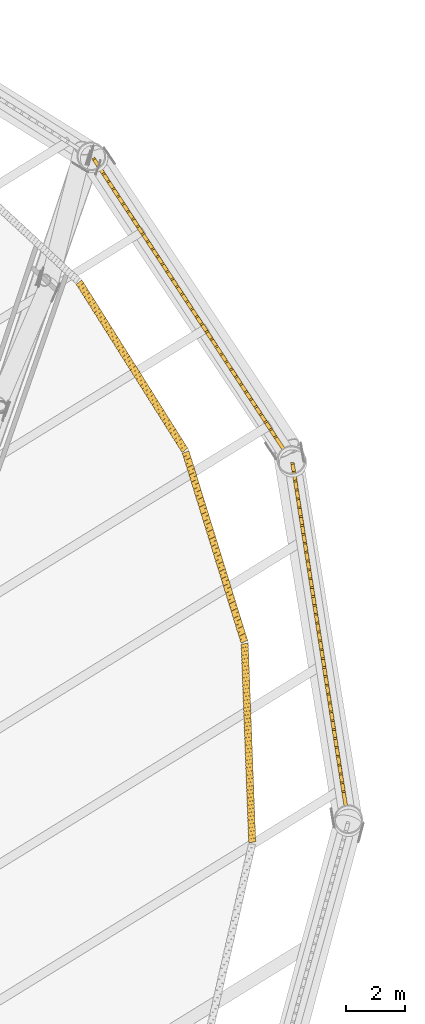
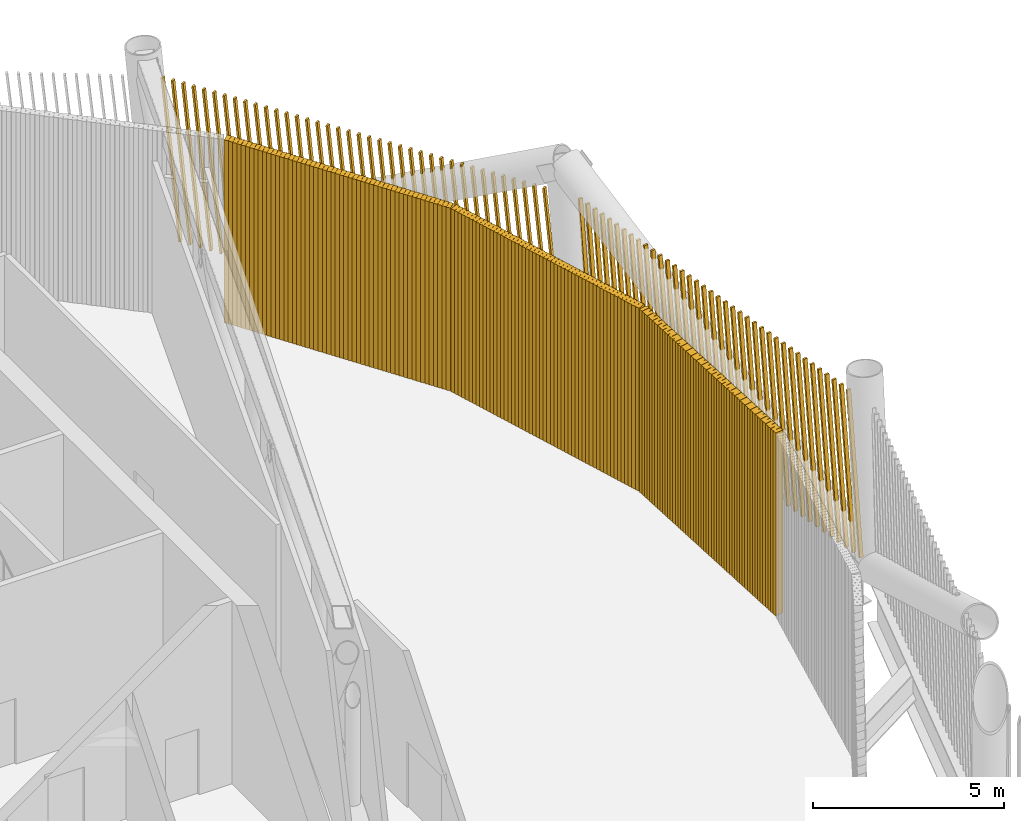
# One storey, part 38 of 40: 5 shading devices.
"""IFC4 building model written with IfcOpenShell, lengths in metres."""

from ifc_helpers import new_model, si_unit, direction, frame, frame_2d, origin, place, context, subcontext, project, spatial, rectangle, composite_profile, extrude, material, type_object, element, save


model = new_model("IFC4")

# Units and contexts
model_context = context("Model", 3, precision=1e-05, world=origin(), true_north=direction((0.0, 1.0)))
body_context = subcontext(model_context, "Body", "Model", "MODEL_VIEW")
ifc_project = project(units=[si_unit("LENGTHUNIT", "METRE"), si_unit("AREAUNIT", "SQUARE_METRE"), si_unit("VOLUMEUNIT", "CUBIC_METRE"), si_unit("PLANEANGLEUNIT", "RADIAN"), si_unit("MASSUNIT", "GRAM", prefix="KILO")], contexts=[model_context])

# Site, building, storey
site_placement = place(None, origin())
site = spatial("IfcSite", under=ifc_project, at=site_placement, CompositionType="ELEMENT")
building_placement = place(site_placement, origin())
building = spatial("IfcBuilding", under=site, at=building_placement, Name="Tarsis Ring Headquarters", CompositionType="ELEMENT")
storey_placement = place(building_placement, frame((0.0, 0.0, 354.800048828125)))
storey = spatial("IfcBuildingStorey", under=building, at=storey_placement, Name="L84", CompositionType="ELEMENT", Elevation=354.800048828125)

# Shading devices
ifc_material_1 = material(Name="Aluminium louvre", Category="aluminium")
shading_device_type_1 = type_object("IfcShadingDeviceType", Name="Plant louvre fin", PredefinedType="USERDEFINED", material=ifc_material_1)
shading_device_1_placement = place(storey_placement, frame((25.76171875, -2.382568359375, 0.0), z_axis=(0.0, 0.0, 1.0), x_axis=(-0.038028475955, 0.99927357257, 0.0)))
element("IfcShadingDevice", 1, at=shading_device_1_placement, inside=storey, type_object=shading_device_type_1, Name="Louvre L84-19", ObjectType="Louvre", PredefinedType="USERDEFINED", context=body_context, shape_type="SweptSolid", body=[
    extrude(composite_profile([rectangle(XDim=0.1201171875, YDim=0.239990234375, at=frame_2d((0.076171875, 0.0), x_axis=(0.990268068742, 0.13917310096))), rectangle(XDim=0.1201171875, YDim=0.239990234375, at=frame_2d((0.202392578125, 0.0), x_axis=(0.990268068742, 0.13917310096))), rectangle(XDim=0.1201171875, YDim=0.239990234375, at=frame_2d((0.328857421875, 0.0), x_axis=(0.990268068742, 0.13917310096))), rectangle(XDim=0.1201171875, YDim=0.239990234375, at=frame_2d((0.455078125, 0.0), x_axis=(0.990268068742, 0.13917310096))), rectangle(XDim=0.1201171875, YDim=0.239990234375, at=frame_2d((0.58154296875, 0.0), x_axis=(0.990268068742, 0.13917310096))), rectangle(XDim=0.1201171875, YDim=0.239990234375, at=frame_2d((0.707763671875, 0.0), x_axis=(0.990268068742, 0.13917310096))), rectangle(XDim=0.1201171875, YDim=0.239990234375, at=frame_2d((0.834228515625, 0.0), x_axis=(0.990268068742, 0.13917310096))), rectangle(XDim=0.1201171875, YDim=0.239990234375, at=frame_2d((0.96044921875, 0.0), x_axis=(0.990268068742, 0.13917310096))), rectangle(XDim=0.1201171875, YDim=0.239990234375, at=frame_2d((1.0869140625, 0.0), x_axis=(0.990268068742, 0.13917310096))), rectangle(XDim=0.1201171875, YDim=0.239990234375, at=frame_2d((1.213134765625, 0.0), x_axis=(0.990268068742, 0.13917310096))), rectangle(XDim=0.1201171875, YDim=0.239990234375, at=frame_2d((1.339599609375, 0.0), x_axis=(0.990268068742, 0.13917310096))), rectangle(XDim=0.1201171875, YDim=0.239990234375, at=frame_2d((1.4658203125, 0.0), x_axis=(0.990268068742, 0.13917310096))), rectangle(XDim=0.1201171875, YDim=0.239990234375, at=frame_2d((1.59228515625, 0.0), x_axis=(0.990268068742, 0.13917310096))), rectangle(XDim=0.1201171875, YDim=0.239990234375, at=frame_2d((1.718505859375, 0.0), x_axis=(0.990268068742, 0.13917310096))), rectangle(XDim=0.1201171875, YDim=0.239990234375, at=frame_2d((1.8447265625, 0.0), x_axis=(0.990268068742, 0.13917310096))), rectangle(XDim=0.1201171875, YDim=0.239990234375, at=frame_2d((1.97119140625, 0.0), x_axis=(0.990268068742, 0.13917310096))), rectangle(XDim=0.1201171875, YDim=0.239990234375, at=frame_2d((2.097412109375, 0.0), x_axis=(0.990268068742, 0.13917310096))), rectangle(XDim=0.1201171875, YDim=0.239990234375, at=frame_2d((2.223876953125, 0.0), x_axis=(0.990268068742, 0.13917310096))), rectangle(XDim=0.1201171875, YDim=0.239990234375, at=frame_2d((2.35009765625, 0.0), x_axis=(0.990268068742, 0.13917310096))), rectangle(XDim=0.1201171875, YDim=0.239990234375, at=frame_2d((2.4765625, 0.0), x_axis=(0.990268068742, 0.13917310096))), rectangle(XDim=0.1201171875, YDim=0.239990234375, at=frame_2d((2.602783203125, 0.0), x_axis=(0.990268068742, 0.13917310096))), rectangle(XDim=0.1201171875, YDim=0.239990234375, at=frame_2d((2.729248046875, 0.0), x_axis=(0.990268068742, 0.13917310096))), rectangle(XDim=0.1201171875, YDim=0.239990234375, at=frame_2d((2.85546875, 0.0), x_axis=(0.990268068742, 0.13917310096))), rectangle(XDim=0.1201171875, YDim=0.239990234375, at=frame_2d((2.98193359375, 0.0), x_axis=(0.990268068742, 0.13917310096))), rectangle(XDim=0.1201171875, YDim=0.239990234375, at=frame_2d((3.108154296875, 0.0), x_axis=(0.990268068742, 0.13917310096))), rectangle(XDim=0.1201171875, YDim=0.239990234375, at=frame_2d((3.234619140625, 0.0), x_axis=(0.990268068742, 0.13917310096))), rectangle(XDim=0.1201171875, YDim=0.239990234375, at=frame_2d((3.36083984375, 0.0), x_axis=(0.990268068742, 0.13917310096))), rectangle(XDim=0.1201171875, YDim=0.239990234375, at=frame_2d((3.487060546875, 0.0), x_axis=(0.990268068742, 0.13917310096))), rectangle(XDim=0.1201171875, YDim=0.239990234375, at=frame_2d((3.613525390625, 0.0), x_axis=(0.990268068742, 0.13917310096))), rectangle(XDim=0.1201171875, YDim=0.239990234375, at=frame_2d((3.73974609375, 0.0), x_axis=(0.990268068742, 0.13917310096))), rectangle(XDim=0.1201171875, YDim=0.239990234375, at=frame_2d((3.8662109375, 0.0), x_axis=(0.990268068742, 0.13917310096))), rectangle(XDim=0.1201171875, YDim=0.239990234375, at=frame_2d((3.992431640625, 0.0), x_axis=(0.990268068742, 0.13917310096))), rectangle(XDim=0.1201171875, YDim=0.239990234375, at=frame_2d((4.118896484375, 0.0), x_axis=(0.990268068742, 0.13917310096))), rectangle(XDim=0.1201171875, YDim=0.239990234375, at=frame_2d((4.2451171875, 0.0), x_axis=(0.990268068742, 0.13917310096))), rectangle(XDim=0.1201171875, YDim=0.239990234375, at=frame_2d((4.37158203125, 0.0), x_axis=(0.990268068742, 0.13917310096))), rectangle(XDim=0.1201171875, YDim=0.239990234375, at=frame_2d((4.497802734375, 0.0), x_axis=(0.990268068742, 0.13917310096))), rectangle(XDim=0.1201171875, YDim=0.239990234375, at=frame_2d((4.624267578125, 0.0), x_axis=(0.990268068742, 0.13917310096))), rectangle(XDim=0.1201171875, YDim=0.239990234375, at=frame_2d((4.75048828125, 0.0), x_axis=(0.990268068742, 0.13917310096))), rectangle(XDim=0.1201171875, YDim=0.239990234375, at=frame_2d((4.876953125, 0.0), x_axis=(0.990268068742, 0.13917310096))), rectangle(XDim=0.1201171875, YDim=0.239990234375, at=frame_2d((5.003173828125, 0.0), x_axis=(0.990268068742, 0.13917310096))), rectangle(XDim=0.1201171875, YDim=0.239990234375, at=frame_2d((5.12939453125, 0.0), x_axis=(0.990268068742, 0.13917310096))), rectangle(XDim=0.1201171875, YDim=0.239990234375, at=frame_2d((5.255859375, 0.0), x_axis=(0.990268068742, 0.13917310096))), rectangle(XDim=0.1201171875, YDim=0.239990234375, at=frame_2d((5.382080078125, 0.0), x_axis=(0.990268068742, 0.13917310096))), rectangle(XDim=0.1201171875, YDim=0.239990234375, at=frame_2d((5.508544921875, 0.0), x_axis=(0.990268068742, 0.13917310096))), rectangle(XDim=0.1201171875, YDim=0.239990234375, at=frame_2d((5.634765625, 0.0), x_axis=(0.990268068742, 0.13917310096))), rectangle(XDim=0.1201171875, YDim=0.239990234375, at=frame_2d((5.76123046875, 0.0), x_axis=(0.990268068742, 0.13917310096))), rectangle(XDim=0.1201171875, YDim=0.239990234375, at=frame_2d((5.887451171875, 0.0), x_axis=(0.990268068742, 0.13917310096))), rectangle(XDim=0.1201171875, YDim=0.239990234375, at=frame_2d((6.013916015625, 0.0), x_axis=(0.990268068742, 0.13917310096))), rectangle(XDim=0.1201171875, YDim=0.239990234375, at=frame_2d((6.14013671875, 0.0), x_axis=(0.990268068742, 0.13917310096))), rectangle(XDim=0.1201171875, YDim=0.239990234375, at=frame_2d((6.2666015625, 0.0), x_axis=(0.990268068742, 0.13917310096))), rectangle(XDim=0.1201171875, YDim=0.239990234375, at=frame_2d((6.392822265625, 0.0), x_axis=(0.990268068742, 0.13917310096))), rectangle(XDim=0.1201171875, YDim=0.239990234375, at=frame_2d((6.519287109375, 0.0), x_axis=(0.990268068742, 0.13917310096))), rectangle(XDim=0.1201171875, YDim=0.239990234375, at=frame_2d((6.6455078125, 0.0), x_axis=(0.990268068742, 0.13917310096)))]), origin(), (0.0, 0.0, 1.0), 5.83984375),
])
shading_device_2_placement = place(storey_placement, frame((25.500732421875, 4.3662109375, 0.0), z_axis=(0.0, 0.0, 1.0), x_axis=(-0.295376121463, 0.955395735716, 0.0)))
element("IfcShadingDevice", 2, at=shading_device_2_placement, inside=storey, type_object=shading_device_type_1, Name="Louvre L84-20", ObjectType="Louvre", PredefinedType="USERDEFINED", context=body_context, shape_type="SweptSolid", body=[
    extrude(composite_profile([rectangle(XDim=0.1201171875, YDim=0.239990234375, at=frame_2d((0.076171875, 0.0), x_axis=(0.990268068742, 0.13917310096))), rectangle(XDim=0.1201171875, YDim=0.239990234375, at=frame_2d((0.202392578125, 0.0), x_axis=(0.990268068742, 0.13917310096))), rectangle(XDim=0.1201171875, YDim=0.239990234375, at=frame_2d((0.328857421875, 0.0), x_axis=(0.990268068742, 0.13917310096))), rectangle(XDim=0.1201171875, YDim=0.239990234375, at=frame_2d((0.455078125, 0.0), x_axis=(0.990268068742, 0.13917310096))), rectangle(XDim=0.1201171875, YDim=0.239990234375, at=frame_2d((0.58154296875, 0.0), x_axis=(0.990268068742, 0.13917310096))), rectangle(XDim=0.1201171875, YDim=0.239990234375, at=frame_2d((0.707763671875, 0.0), x_axis=(0.990268068742, 0.13917310096))), rectangle(XDim=0.1201171875, YDim=0.239990234375, at=frame_2d((0.834228515625, 0.0), x_axis=(0.990268068742, 0.13917310096))), rectangle(XDim=0.1201171875, YDim=0.239990234375, at=frame_2d((0.96044921875, 0.0), x_axis=(0.990268068742, 0.13917310096))), rectangle(XDim=0.1201171875, YDim=0.239990234375, at=frame_2d((1.0869140625, 0.0), x_axis=(0.990268068742, 0.13917310096))), rectangle(XDim=0.1201171875, YDim=0.239990234375, at=frame_2d((1.213134765625, 0.0), x_axis=(0.990268068742, 0.13917310096))), rectangle(XDim=0.1201171875, YDim=0.239990234375, at=frame_2d((1.33935546875, 0.0), x_axis=(0.990268068742, 0.13917310096))), rectangle(XDim=0.1201171875, YDim=0.239990234375, at=frame_2d((1.4658203125, 0.0), x_axis=(0.990268068742, 0.13917310096))), rectangle(XDim=0.1201171875, YDim=0.239990234375, at=frame_2d((1.592041015625, 0.0), x_axis=(0.990268068742, 0.13917310096))), rectangle(XDim=0.1201171875, YDim=0.239990234375, at=frame_2d((1.718505859375, 0.0), x_axis=(0.990268068742, 0.13917310096))), rectangle(XDim=0.1201171875, YDim=0.239990234375, at=frame_2d((1.8447265625, 0.0), x_axis=(0.990268068742, 0.13917310096))), rectangle(XDim=0.1201171875, YDim=0.239990234375, at=frame_2d((1.97119140625, 0.0), x_axis=(0.990268068742, 0.13917310096))), rectangle(XDim=0.1201171875, YDim=0.239990234375, at=frame_2d((2.097412109375, 0.0), x_axis=(0.990268068742, 0.13917310096))), rectangle(XDim=0.1201171875, YDim=0.239990234375, at=frame_2d((2.223876953125, 0.0), x_axis=(0.990268068742, 0.13917310096))), rectangle(XDim=0.1201171875, YDim=0.239990234375, at=frame_2d((2.35009765625, 0.0), x_axis=(0.990268068742, 0.13917310096))), rectangle(XDim=0.1201171875, YDim=0.239990234375, at=frame_2d((2.476318359375, 0.0), x_axis=(0.990268068742, 0.13917310096))), rectangle(XDim=0.1201171875, YDim=0.239990234375, at=frame_2d((2.602783203125, 0.0), x_axis=(0.990268068742, 0.13917310096))), rectangle(XDim=0.1201171875, YDim=0.239990234375, at=frame_2d((2.72900390625, 0.0), x_axis=(0.990268068742, 0.13917310096))), rectangle(XDim=0.1201171875, YDim=0.239990234375, at=frame_2d((2.85546875, 0.0), x_axis=(0.990268068742, 0.13917310096))), rectangle(XDim=0.1201171875, YDim=0.239990234375, at=frame_2d((2.981689453125, 0.0), x_axis=(0.990268068742, 0.13917310096))), rectangle(XDim=0.1201171875, YDim=0.239990234375, at=frame_2d((3.108154296875, 0.0), x_axis=(0.990268068742, 0.13917310096))), rectangle(XDim=0.1201171875, YDim=0.239990234375, at=frame_2d((3.234375, 0.0), x_axis=(0.990268068742, 0.13917310096))), rectangle(XDim=0.1201171875, YDim=0.239990234375, at=frame_2d((3.36083984375, 0.0), x_axis=(0.990268068742, 0.13917310096))), rectangle(XDim=0.1201171875, YDim=0.239990234375, at=frame_2d((3.487060546875, 0.0), x_axis=(0.990268068742, 0.13917310096))), rectangle(XDim=0.1201171875, YDim=0.239990234375, at=frame_2d((3.61328125, 0.0), x_axis=(0.990268068742, 0.13917310096))), rectangle(XDim=0.1201171875, YDim=0.239990234375, at=frame_2d((3.73974609375, 0.0), x_axis=(0.990268068742, 0.13917310096))), rectangle(XDim=0.1201171875, YDim=0.239990234375, at=frame_2d((3.865966796875, 0.0), x_axis=(0.990268068742, 0.13917310096))), rectangle(XDim=0.1201171875, YDim=0.239990234375, at=frame_2d((3.992431640625, 0.0), x_axis=(0.990268068742, 0.13917310096))), rectangle(XDim=0.1201171875, YDim=0.239990234375, at=frame_2d((4.11865234375, 0.0), x_axis=(0.990268068742, 0.13917310096))), rectangle(XDim=0.1201171875, YDim=0.239990234375, at=frame_2d((4.2451171875, 0.0), x_axis=(0.990268068742, 0.13917310096))), rectangle(XDim=0.1201171875, YDim=0.239990234375, at=frame_2d((4.371337890625, 0.0), x_axis=(0.990268068742, 0.13917310096))), rectangle(XDim=0.1201171875, YDim=0.239990234375, at=frame_2d((4.49755859375, 0.0), x_axis=(0.990268068742, 0.13917310096))), rectangle(XDim=0.1201171875, YDim=0.239990234375, at=frame_2d((4.6240234375, 0.0), x_axis=(0.990268068742, 0.13917310096))), rectangle(XDim=0.1201171875, YDim=0.239990234375, at=frame_2d((4.750244140625, 0.0), x_axis=(0.990268068742, 0.13917310096))), rectangle(XDim=0.1201171875, YDim=0.239990234375, at=frame_2d((4.876708984375, 0.0), x_axis=(0.990268068742, 0.13917310096))), rectangle(XDim=0.1201171875, YDim=0.239990234375, at=frame_2d((5.0029296875, 0.0), x_axis=(0.990268068742, 0.13917310096))), rectangle(XDim=0.1201171875, YDim=0.239990234375, at=frame_2d((5.12939453125, 0.0), x_axis=(0.990268068742, 0.13917310096))), rectangle(XDim=0.1201171875, YDim=0.239990234375, at=frame_2d((5.255615234375, 0.0), x_axis=(0.990268068742, 0.13917310096))), rectangle(XDim=0.1201171875, YDim=0.239990234375, at=frame_2d((5.382080078125, 0.0), x_axis=(0.990268068742, 0.13917310096))), rectangle(XDim=0.1201171875, YDim=0.239990234375, at=frame_2d((5.50830078125, 0.0), x_axis=(0.990268068742, 0.13917310096))), rectangle(XDim=0.1201171875, YDim=0.239990234375, at=frame_2d((5.634521484375, 0.0), x_axis=(0.990268068742, 0.13917310096))), rectangle(XDim=0.1201171875, YDim=0.239990234375, at=frame_2d((5.760986328125, 0.0), x_axis=(0.990268068742, 0.13917310096))), rectangle(XDim=0.1201171875, YDim=0.239990234375, at=frame_2d((5.88720703125, 0.0), x_axis=(0.990268068742, 0.13917310096))), rectangle(XDim=0.1201171875, YDim=0.239990234375, at=frame_2d((6.013671875, 0.0), x_axis=(0.990268068742, 0.13917310096))), rectangle(XDim=0.1201171875, YDim=0.239990234375, at=frame_2d((6.139892578125, 0.0), x_axis=(0.990268068742, 0.13917310096))), rectangle(XDim=0.1201171875, YDim=0.239990234375, at=frame_2d((6.266357421875, 0.0), x_axis=(0.990268068742, 0.13917310096))), rectangle(XDim=0.1201171875, YDim=0.239990234375, at=frame_2d((6.392578125, 0.0), x_axis=(0.990268068742, 0.13917310096))), rectangle(XDim=0.1201171875, YDim=0.239990234375, at=frame_2d((6.51904296875, 0.0), x_axis=(0.990268068742, 0.13917310096))), rectangle(XDim=0.1201171875, YDim=0.239990234375, at=frame_2d((6.645263671875, 0.0), x_axis=(0.990268068742, 0.13917310096)))]), origin(), (0.0, 0.0, 1.0), 5.83984375),
])
shading_device_3_placement = place(storey_placement, frame((23.501708984375, 10.817626953125, 0.0), z_axis=(0.0, 0.0, 1.0), x_axis=(-0.532580270231, 0.846360598576, 0.0)))
element("IfcShadingDevice", 3, at=shading_device_3_placement, inside=storey, type_object=shading_device_type_1, Name="Louvre L84-21", ObjectType="Louvre", PredefinedType="USERDEFINED", context=body_context, shape_type="SweptSolid", body=[
    extrude(composite_profile([rectangle(XDim=0.1201171875, YDim=0.239990234375, at=frame_2d((0.076171875, 0.0), x_axis=(0.990268068742, 0.13917310096))), rectangle(XDim=0.1201171875, YDim=0.239990234375, at=frame_2d((0.202392578125, 0.0), x_axis=(0.990268068742, 0.13917310096))), rectangle(XDim=0.1201171875, YDim=0.239990234375, at=frame_2d((0.328857421875, 0.0), x_axis=(0.990268068742, 0.13917310096))), rectangle(XDim=0.1201171875, YDim=0.239990234375, at=frame_2d((0.455078125, 0.0), x_axis=(0.990268068742, 0.13917310096))), rectangle(XDim=0.1201171875, YDim=0.239990234375, at=frame_2d((0.58154296875, 0.0), x_axis=(0.990268068742, 0.13917310096))), rectangle(XDim=0.1201171875, YDim=0.239990234375, at=frame_2d((0.707763671875, 0.0), x_axis=(0.990268068742, 0.13917310096))), rectangle(XDim=0.1201171875, YDim=0.239990234375, at=frame_2d((0.834228515625, 0.0), x_axis=(0.990268068742, 0.13917310096))), rectangle(XDim=0.1201171875, YDim=0.239990234375, at=frame_2d((0.96044921875, 0.0), x_axis=(0.990268068742, 0.13917310096))), rectangle(XDim=0.1201171875, YDim=0.239990234375, at=frame_2d((1.0869140625, 0.0), x_axis=(0.990268068742, 0.13917310096))), rectangle(XDim=0.1201171875, YDim=0.239990234375, at=frame_2d((1.213134765625, 0.0), x_axis=(0.990268068742, 0.13917310096))), rectangle(XDim=0.1201171875, YDim=0.239990234375, at=frame_2d((1.339599609375, 0.0), x_axis=(0.990268068742, 0.13917310096))), rectangle(XDim=0.1201171875, YDim=0.239990234375, at=frame_2d((1.4658203125, 0.0), x_axis=(0.990268068742, 0.13917310096))), rectangle(XDim=0.1201171875, YDim=0.239990234375, at=frame_2d((1.59228515625, 0.0), x_axis=(0.990268068742, 0.13917310096))), rectangle(XDim=0.1201171875, YDim=0.239990234375, at=frame_2d((1.718505859375, 0.0), x_axis=(0.990268068742, 0.13917310096))), rectangle(XDim=0.1201171875, YDim=0.239990234375, at=frame_2d((1.8447265625, 0.0), x_axis=(0.990268068742, 0.13917310096))), rectangle(XDim=0.1201171875, YDim=0.239990234375, at=frame_2d((1.97119140625, 0.0), x_axis=(0.990268068742, 0.13917310096))), rectangle(XDim=0.1201171875, YDim=0.239990234375, at=frame_2d((2.097412109375, 0.0), x_axis=(0.990268068742, 0.13917310096))), rectangle(XDim=0.1201171875, YDim=0.239990234375, at=frame_2d((2.223876953125, 0.0), x_axis=(0.990268068742, 0.13917310096))), rectangle(XDim=0.1201171875, YDim=0.239990234375, at=frame_2d((2.35009765625, 0.0), x_axis=(0.990268068742, 0.13917310096))), rectangle(XDim=0.1201171875, YDim=0.239990234375, at=frame_2d((2.4765625, 0.0), x_axis=(0.990268068742, 0.13917310096))), rectangle(XDim=0.1201171875, YDim=0.239990234375, at=frame_2d((2.602783203125, 0.0), x_axis=(0.990268068742, 0.13917310096))), rectangle(XDim=0.1201171875, YDim=0.239990234375, at=frame_2d((2.729248046875, 0.0), x_axis=(0.990268068742, 0.13917310096))), rectangle(XDim=0.1201171875, YDim=0.239990234375, at=frame_2d((2.85546875, 0.0), x_axis=(0.990268068742, 0.13917310096))), rectangle(XDim=0.1201171875, YDim=0.239990234375, at=frame_2d((2.98193359375, 0.0), x_axis=(0.990268068742, 0.13917310096))), rectangle(XDim=0.1201171875, YDim=0.239990234375, at=frame_2d((3.108154296875, 0.0), x_axis=(0.990268068742, 0.13917310096))), rectangle(XDim=0.1201171875, YDim=0.239990234375, at=frame_2d((3.234619140625, 0.0), x_axis=(0.990268068742, 0.13917310096))), rectangle(XDim=0.1201171875, YDim=0.239990234375, at=frame_2d((3.36083984375, 0.0), x_axis=(0.990268068742, 0.13917310096))), rectangle(XDim=0.1201171875, YDim=0.239990234375, at=frame_2d((3.487060546875, 0.0), x_axis=(0.990268068742, 0.13917310096))), rectangle(XDim=0.1201171875, YDim=0.239990234375, at=frame_2d((3.613525390625, 0.0), x_axis=(0.990268068742, 0.13917310096))), rectangle(XDim=0.1201171875, YDim=0.239990234375, at=frame_2d((3.73974609375, 0.0), x_axis=(0.990268068742, 0.13917310096))), rectangle(XDim=0.1201171875, YDim=0.239990234375, at=frame_2d((3.8662109375, 0.0), x_axis=(0.990268068742, 0.13917310096))), rectangle(XDim=0.1201171875, YDim=0.239990234375, at=frame_2d((3.992431640625, 0.0), x_axis=(0.990268068742, 0.13917310096))), rectangle(XDim=0.1201171875, YDim=0.239990234375, at=frame_2d((4.118896484375, 0.0), x_axis=(0.990268068742, 0.13917310096))), rectangle(XDim=0.1201171875, YDim=0.239990234375, at=frame_2d((4.2451171875, 0.0), x_axis=(0.990268068742, 0.13917310096))), rectangle(XDim=0.1201171875, YDim=0.239990234375, at=frame_2d((4.37158203125, 0.0), x_axis=(0.990268068742, 0.13917310096))), rectangle(XDim=0.1201171875, YDim=0.239990234375, at=frame_2d((4.497802734375, 0.0), x_axis=(0.990268068742, 0.13917310096))), rectangle(XDim=0.1201171875, YDim=0.239990234375, at=frame_2d((4.624267578125, 0.0), x_axis=(0.990268068742, 0.13917310096))), rectangle(XDim=0.1201171875, YDim=0.239990234375, at=frame_2d((4.75048828125, 0.0), x_axis=(0.990268068742, 0.13917310096))), rectangle(XDim=0.1201171875, YDim=0.239990234375, at=frame_2d((4.876953125, 0.0), x_axis=(0.990268068742, 0.13917310096))), rectangle(XDim=0.1201171875, YDim=0.239990234375, at=frame_2d((5.003173828125, 0.0), x_axis=(0.990268068742, 0.13917310096))), rectangle(XDim=0.1201171875, YDim=0.239990234375, at=frame_2d((5.12939453125, 0.0), x_axis=(0.990268068742, 0.13917310096))), rectangle(XDim=0.1201171875, YDim=0.239990234375, at=frame_2d((5.255859375, 0.0), x_axis=(0.990268068742, 0.13917310096))), rectangle(XDim=0.1201171875, YDim=0.239990234375, at=frame_2d((5.382080078125, 0.0), x_axis=(0.990268068742, 0.13917310096))), rectangle(XDim=0.1201171875, YDim=0.239990234375, at=frame_2d((5.508544921875, 0.0), x_axis=(0.990268068742, 0.13917310096))), rectangle(XDim=0.1201171875, YDim=0.239990234375, at=frame_2d((5.634765625, 0.0), x_axis=(0.990268068742, 0.13917310096))), rectangle(XDim=0.1201171875, YDim=0.239990234375, at=frame_2d((5.76123046875, 0.0), x_axis=(0.990268068742, 0.13917310096))), rectangle(XDim=0.1201171875, YDim=0.239990234375, at=frame_2d((5.887451171875, 0.0), x_axis=(0.990268068742, 0.13917310096))), rectangle(XDim=0.1201171875, YDim=0.239990234375, at=frame_2d((6.013916015625, 0.0), x_axis=(0.990268068742, 0.13917310096))), rectangle(XDim=0.1201171875, YDim=0.239990234375, at=frame_2d((6.14013671875, 0.0), x_axis=(0.990268068742, 0.13917310096))), rectangle(XDim=0.1201171875, YDim=0.239990234375, at=frame_2d((6.2666015625, 0.0), x_axis=(0.990268068742, 0.13917310096))), rectangle(XDim=0.1201171875, YDim=0.239990234375, at=frame_2d((6.392822265625, 0.0), x_axis=(0.990268068742, 0.13917310096))), rectangle(XDim=0.1201171875, YDim=0.239990234375, at=frame_2d((6.519287109375, 0.0), x_axis=(0.990268068742, 0.13917310096))), rectangle(XDim=0.1201171875, YDim=0.239990234375, at=frame_2d((6.6455078125, 0.0), x_axis=(0.990268068742, 0.13917310096)))]), origin(), (0.0, 0.0, 1.0), 5.83984375),
])
ifc_material_2 = material(Name="Terracotta baguette", Category="masonry")
shading_device_type_2 = type_object("IfcShadingDeviceType", Name="Terracotta baguette screen", PredefinedType="USERDEFINED", material=ifc_material_2)
shading_device_4_placement = place(storey_placement, frame((28.92236328125, -1.2021484375, 0.0), z_axis=(0.0, 0.0, 1.0), x_axis=(-0.153402061856, 0.988171459577, 0.0)))
element("IfcShadingDevice", 4, at=shading_device_4_placement, inside=storey, type_object=shading_device_type_2, Name="Baguette screen L84-06", ObjectType="Terracotta baguette screen", PredefinedType="USERDEFINED", context=body_context, shape_type="SweptSolid", body=[
    extrude(composite_profile([rectangle(XDim=0.06005859375, YDim=0.1201171875, at=frame_2d((0.030029296875, 0.0))), rectangle(XDim=0.06005859375, YDim=0.1201171875, at=frame_2d((0.33251953125, 0.0))), rectangle(XDim=0.06005859375, YDim=0.1201171875, at=frame_2d((0.634765625, 0.0))), rectangle(XDim=0.06005859375, YDim=0.1201171875, at=frame_2d((0.937255859375, 0.0))), rectangle(XDim=0.06005859375, YDim=0.1201171875, at=frame_2d((1.239501953125, 0.0))), rectangle(XDim=0.06005859375, YDim=0.1201171875, at=frame_2d((1.5419921875, 0.0))), rectangle(XDim=0.06005859375, YDim=0.1201171875, at=frame_2d((1.844482421875, 0.0))), rectangle(XDim=0.06005859375, YDim=0.1201171875, at=frame_2d((2.146728515625, 0.0))), rectangle(XDim=0.06005859375, YDim=0.1201171875, at=frame_2d((2.44921875, 0.0))), rectangle(XDim=0.06005859375, YDim=0.1201171875, at=frame_2d((2.751708984375, 0.0))), rectangle(XDim=0.06005859375, YDim=0.1201171875, at=frame_2d((3.053955078125, 0.0))), rectangle(XDim=0.06005859375, YDim=0.1201171875, at=frame_2d((3.3564453125, 0.0))), rectangle(XDim=0.06005859375, YDim=0.1201171875, at=frame_2d((3.65869140625, 0.0))), rectangle(XDim=0.06005859375, YDim=0.1201171875, at=frame_2d((3.961181640625, 0.0))), rectangle(XDim=0.06005859375, YDim=0.1201171875, at=frame_2d((4.263671875, 0.0))), rectangle(XDim=0.06005859375, YDim=0.1201171875, at=frame_2d((4.56591796875, 0.0))), rectangle(XDim=0.06005859375, YDim=0.1201171875, at=frame_2d((4.868408203125, 0.0))), rectangle(XDim=0.06005859375, YDim=0.1201171875, at=frame_2d((5.1708984375, 0.0))), rectangle(XDim=0.06005859375, YDim=0.1201171875, at=frame_2d((5.47314453125, 0.0))), rectangle(XDim=0.06005859375, YDim=0.1201171875, at=frame_2d((5.775634765625, 0.0))), rectangle(XDim=0.06005859375, YDim=0.1201171875, at=frame_2d((6.077880859375, 0.0))), rectangle(XDim=0.06005859375, YDim=0.1201171875, at=frame_2d((6.38037109375, 0.0))), rectangle(XDim=0.06005859375, YDim=0.1201171875, at=frame_2d((6.682861328125, 0.0))), rectangle(XDim=0.06005859375, YDim=0.1201171875, at=frame_2d((6.985107421875, 0.0))), rectangle(XDim=0.06005859375, YDim=0.1201171875, at=frame_2d((7.28759765625, 0.0))), rectangle(XDim=0.06005859375, YDim=0.1201171875, at=frame_2d((7.590087890625, 0.0))), rectangle(XDim=0.06005859375, YDim=0.1201171875, at=frame_2d((7.892333984375, 0.0))), rectangle(XDim=0.06005859375, YDim=0.1201171875, at=frame_2d((8.19482421875, 0.0))), rectangle(XDim=0.06005859375, YDim=0.1201171875, at=frame_2d((8.4970703125, 0.0))), rectangle(XDim=0.06005859375, YDim=0.1201171875, at=frame_2d((8.799560546875, 0.0))), rectangle(XDim=0.06005859375, YDim=0.1201171875, at=frame_2d((9.10205078125, 0.0))), rectangle(XDim=0.06005859375, YDim=0.1201171875, at=frame_2d((9.404296875, 0.0))), rectangle(XDim=0.06005859375, YDim=0.1201171875, at=frame_2d((9.706787109375, 0.0))), rectangle(XDim=0.06005859375, YDim=0.1201171875, at=frame_2d((10.00927734375, 0.0))), rectangle(XDim=0.06005859375, YDim=0.1201171875, at=frame_2d((10.3115234375, 0.0))), rectangle(XDim=0.06005859375, YDim=0.1201171875, at=frame_2d((10.614013671875, 0.0))), rectangle(XDim=0.06005859375, YDim=0.1201171875, at=frame_2d((10.916259765625, 0.0))), rectangle(XDim=0.06005859375, YDim=0.1201171875, at=frame_2d((11.21875, 0.0)))]), origin(), (0.100926428453, 0.00091564327, 0.994893470497), 5.106689453125),
])
shading_device_5_placement = place(storey_placement, frame((26.846435546875, 10.826171875, 0.0), z_axis=(0.0, 0.0, 1.0), x_axis=(-0.547064568638, 0.837091698318, 0.0)))
element("IfcShadingDevice", 5, at=shading_device_5_placement, inside=storey, type_object=shading_device_type_2, Name="Baguette screen L84-07", ObjectType="Terracotta baguette screen", PredefinedType="USERDEFINED", context=body_context, shape_type="SweptSolid", body=[
    extrude(composite_profile([rectangle(XDim=0.06005859375, YDim=0.1201171875, at=frame_2d((0.030029296875, 0.0))), rectangle(XDim=0.06005859375, YDim=0.1201171875, at=frame_2d((0.33251953125, 0.0))), rectangle(XDim=0.06005859375, YDim=0.1201171875, at=frame_2d((0.634765625, 0.0))), rectangle(XDim=0.06005859375, YDim=0.1201171875, at=frame_2d((0.937255859375, 0.0))), rectangle(XDim=0.06005859375, YDim=0.1201171875, at=frame_2d((1.239501953125, 0.0))), rectangle(XDim=0.06005859375, YDim=0.1201171875, at=frame_2d((1.5419921875, 0.0))), rectangle(XDim=0.06005859375, YDim=0.1201171875, at=frame_2d((1.844482421875, 0.0))), rectangle(XDim=0.06005859375, YDim=0.1201171875, at=frame_2d((2.146728515625, 0.0))), rectangle(XDim=0.06005859375, YDim=0.1201171875, at=frame_2d((2.44921875, 0.0))), rectangle(XDim=0.06005859375, YDim=0.1201171875, at=frame_2d((2.751708984375, 0.0))), rectangle(XDim=0.06005859375, YDim=0.1201171875, at=frame_2d((3.053955078125, 0.0))), rectangle(XDim=0.06005859375, YDim=0.1201171875, at=frame_2d((3.3564453125, 0.0))), rectangle(XDim=0.06005859375, YDim=0.1201171875, at=frame_2d((3.65869140625, 0.0))), rectangle(XDim=0.06005859375, YDim=0.1201171875, at=frame_2d((3.961181640625, 0.0))), rectangle(XDim=0.06005859375, YDim=0.1201171875, at=frame_2d((4.263671875, 0.0))), rectangle(XDim=0.06005859375, YDim=0.1201171875, at=frame_2d((4.56591796875, 0.0))), rectangle(XDim=0.06005859375, YDim=0.1201171875, at=frame_2d((4.868408203125, 0.0))), rectangle(XDim=0.06005859375, YDim=0.1201171875, at=frame_2d((5.1708984375, 0.0))), rectangle(XDim=0.06005859375, YDim=0.1201171875, at=frame_2d((5.47314453125, 0.0))), rectangle(XDim=0.06005859375, YDim=0.1201171875, at=frame_2d((5.775634765625, 0.0))), rectangle(XDim=0.06005859375, YDim=0.1201171875, at=frame_2d((6.077880859375, 0.0))), rectangle(XDim=0.06005859375, YDim=0.1201171875, at=frame_2d((6.38037109375, 0.0))), rectangle(XDim=0.06005859375, YDim=0.1201171875, at=frame_2d((6.682861328125, 0.0))), rectangle(XDim=0.06005859375, YDim=0.1201171875, at=frame_2d((6.985107421875, 0.0))), rectangle(XDim=0.06005859375, YDim=0.1201171875, at=frame_2d((7.28759765625, 0.0))), rectangle(XDim=0.06005859375, YDim=0.1201171875, at=frame_2d((7.590087890625, 0.0))), rectangle(XDim=0.06005859375, YDim=0.1201171875, at=frame_2d((7.892333984375, 0.0))), rectangle(XDim=0.06005859375, YDim=0.1201171875, at=frame_2d((8.19482421875, 0.0))), rectangle(XDim=0.06005859375, YDim=0.1201171875, at=frame_2d((8.4970703125, 0.0))), rectangle(XDim=0.06005859375, YDim=0.1201171875, at=frame_2d((8.799560546875, 0.0))), rectangle(XDim=0.06005859375, YDim=0.1201171875, at=frame_2d((9.10205078125, 0.0))), rectangle(XDim=0.06005859375, YDim=0.1201171875, at=frame_2d((9.404296875, 0.0))), rectangle(XDim=0.06005859375, YDim=0.1201171875, at=frame_2d((9.706787109375, 0.0))), rectangle(XDim=0.06005859375, YDim=0.1201171875, at=frame_2d((10.00927734375, 0.0))), rectangle(XDim=0.06005859375, YDim=0.1201171875, at=frame_2d((10.3115234375, 0.0))), rectangle(XDim=0.06005859375, YDim=0.1201171875, at=frame_2d((10.614013671875, 0.0))), rectangle(XDim=0.06005859375, YDim=0.1201171875, at=frame_2d((10.916259765625, 0.0))), rectangle(XDim=0.06005859375, YDim=0.1201171875, at=frame_2d((11.21875, 0.0)))]), origin(), (0.100925899523, 0.00091668951, 0.99489352319), 5.106689453125),
])

save(model, "model.ifc")
